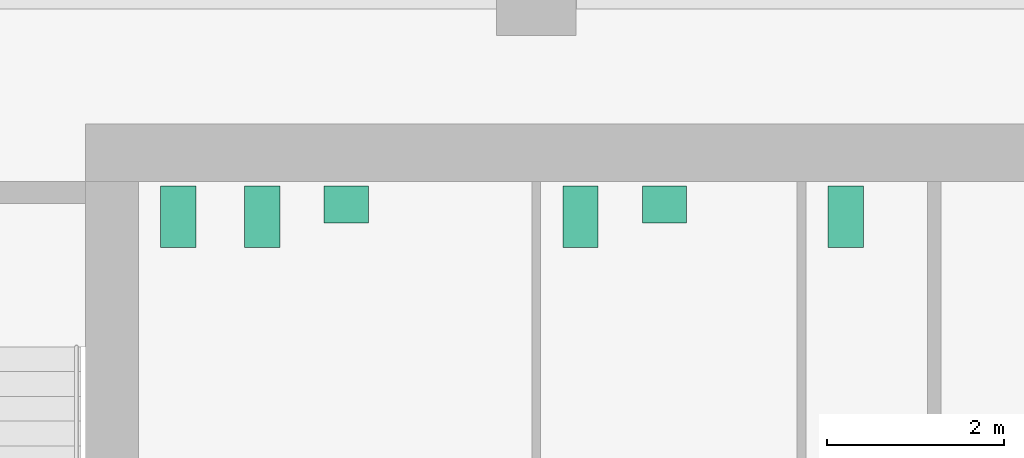
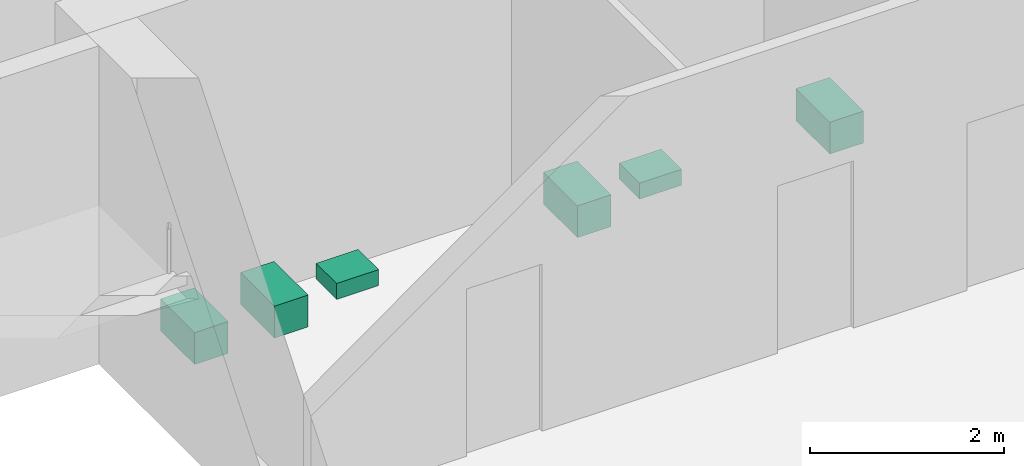
# One storey, part 8 of 9: 6 sanitary terminals.
"""IFC4 building model written with IfcOpenShell, lengths in metres."""

from ifc_helpers import new_model, si_unit, direction, frame, origin, origin_2d, place, context, subcontext, project, spatial, rectangle, extrude, material, type_object, element, save


model = new_model("IFC4")

# Units and contexts
model_context = context("Model", 3, precision=1e-05, world=origin(), true_north=direction((0.0, 1.0)))
body_context = subcontext(model_context, "Body", "Model", "MODEL_VIEW")
ifc_project = project(units=[si_unit("LENGTHUNIT", "METRE"), si_unit("AREAUNIT", "SQUARE_METRE"), si_unit("VOLUMEUNIT", "CUBIC_METRE"), si_unit("PLANEANGLEUNIT", "RADIAN"), si_unit("MASSUNIT", "GRAM", prefix="KILO")], contexts=[model_context])

# Site, building, storey
site_placement = place(None, origin())
site = spatial("IfcSite", under=ifc_project, at=site_placement, CompositionType="ELEMENT")
building_placement = place(site_placement, origin())
building = spatial("IfcBuilding", under=site, at=building_placement, Name="Cinnabar Reach Civic Tower", CompositionType="ELEMENT")
storey_placement = place(building_placement, frame((0.0, 0.0, 153.0)))
storey = spatial("IfcBuildingStorey", under=building, at=storey_placement, Name="L36", CompositionType="ELEMENT", Elevation=153.0)

# Sanitary terminals
ifc_material = material(Name="Vitreous china")
sanitary_terminal_type_1 = type_object("IfcSanitaryTerminalType", Name="T1 WC pan", PredefinedType="TOILETPAN", material=ifc_material)
for number, where, z_axis, x_axis, name in (
    (1, (4.95, 41.6, 0.0), (0.0, 0.0, 1.0), (1.0, 0.0, 0.0), "T1 WC pan 3607-1"),
    (2, (5.9, 41.6, 0.0), (0.0, 0.0, 1.0), (1.0, 0.0, 0.0), "T1 WC pan 3607-2"),
    (3, (9.5, 41.6, 0.0), (0.0, 0.0, 1.0), (1.0, 0.0, 0.0), "T1 WC pan 3608-1"),
    (4, (12.5, 41.6, 0.0), (0.0, 0.0, 1.0), (1.0, 0.0, 0.0), "T1 WC pan 3609-1"),
):
    element("IfcSanitaryTerminal", number, at=place(storey_placement, frame(where, z_axis=z_axis, x_axis=x_axis)), inside=storey, type_object=sanitary_terminal_type_1, Name=name, PredefinedType="TOILETPAN", context=body_context, shape_type="SweptSolid", body=[
        extrude(rectangle(XDim=0.4, YDim=0.7, at=origin_2d()), origin(), (0.0, 0.0, 1.0), 0.4),
    ])
sanitary_terminal_type_2 = type_object("IfcSanitaryTerminalType", Name="T1 wash basin", PredefinedType="WASHHANDBASIN", material=ifc_material)
for number, where, z_axis, x_axis, name in (
    (5, (6.85, 41.74, 0.0), (0.0, 0.0, 1.0), (1.0, 0.0, 0.0), "T1 wash basin 3607-3"),
    (6, (10.45, 41.74, 0.0), (0.0, 0.0, 1.0), (1.0, 0.0, 0.0), "T1 wash basin 3608-2"),
):
    element("IfcSanitaryTerminal", number, at=place(storey_placement, frame(where, z_axis=z_axis, x_axis=x_axis)), inside=storey, type_object=sanitary_terminal_type_2, Name=name, PredefinedType="WASHHANDBASIN", context=body_context, shape_type="SweptSolid", body=[
        extrude(rectangle(XDim=0.5, YDim=0.42, at=origin_2d()), origin(), (0.0, 0.0, 1.0), 0.2),
    ])

save(model, "model.ifc")
